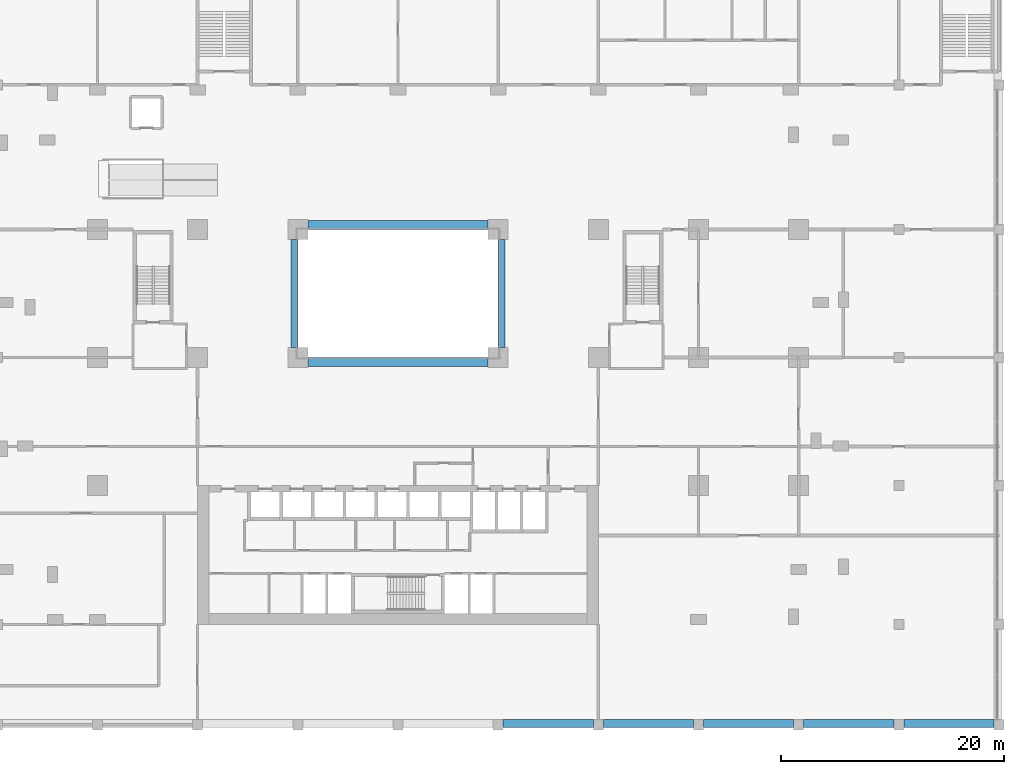
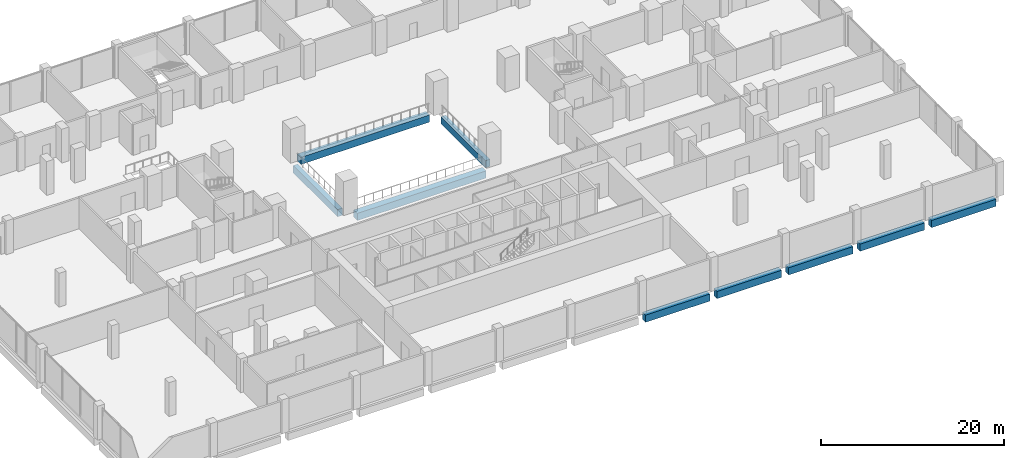
# One storey, part 7 of 22: 9 beams.
"""IFC4 building model written with IfcOpenShell, lengths in metres."""

from ifc_helpers import new_model, si_unit, direction, frame, origin, origin_2d, place, context, subcontext, project, spatial, rectangle, extrude, material, material_profile, profile_set, type_object, element, save


model = new_model("IFC4")

# Units and contexts
model_context = context("Model", 3, precision=1e-05, world=origin(), true_north=direction((0.0, 1.0)))
body_context = subcontext(model_context, "Body", "Model", "MODEL_VIEW")
ifc_project = project(units=[si_unit("LENGTHUNIT", "METRE"), si_unit("AREAUNIT", "SQUARE_METRE"), si_unit("VOLUMEUNIT", "CUBIC_METRE"), si_unit("PLANEANGLEUNIT", "RADIAN"), si_unit("MASSUNIT", "GRAM", prefix="KILO")], contexts=[model_context])

# Site, building, storey
site_placement = place(None, origin())
site = spatial("IfcSite", under=ifc_project, at=site_placement, CompositionType="ELEMENT")
building_placement = place(site_placement, origin())
building = spatial("IfcBuilding", under=site, at=building_placement, Name="Brigalow Station Residences", CompositionType="ELEMENT")
storey_placement = place(building_placement, frame((0.0, 0.0, 6.5)))
storey = spatial("IfcBuildingStorey", under=building, at=storey_placement, Name="L01", CompositionType="ELEMENT", Elevation=6.5)

# Beams
ifc_material_1 = material(Name="Concrete C65", Category="concrete")
ifc_material_profile_1 = material_profile(ifc_material_1, rectangle(XDim=0.60009765625, YDim=0.949951171875, at=origin_2d()), Name="RC600x950")
ifc_profile_set_1 = profile_set([ifc_material_profile_1], Name="Concrete C65")
beam_type_1 = type_object("IfcBeamType", Name="ATRIUM EDGE GIRDER 600x950 C65", PredefinedType="BEAM", material=ifc_profile_set_1)
for number, where, z_axis, x_axis, name in (
    (1, (26.699951171875, 24.89990234375, -0.876953125), (0.0, 1.0, 0.0), (-1.0, 0.0, 0.0), "ATRIUM EDGE GIRDER 3 L01"),
    (2, (45.300048828125, 24.89990234375, -0.876953125), (0.0, 1.0, 0.0), (-1.0, 0.0, 0.0), "ATRIUM EDGE GIRDER 5 L01"),
):
    element("IfcBeam", number, at=place(storey_placement, frame(where, z_axis=z_axis, x_axis=x_axis)), inside=storey, type_object=beam_type_1, Name=name, PredefinedType="BEAM", context=body_context, shape_type="SweptSolid", body=[
        extrude(rectangle(XDim=0.60009765625, YDim=0.949951171875, at=origin_2d()), origin(), (0.0, 0.0, 1.0), 9.7001953125),
    ])
ifc_material_2 = material(Name="Concrete C65", Category="concrete")
ifc_material_profile_2 = material_profile(ifc_material_2, rectangle(XDim=0.800048828125, YDim=0.949951171875, at=origin_2d()), Name="RC800x950")
ifc_profile_set_2 = profile_set([ifc_material_profile_2], Name="Concrete C65")
beam_type_2 = type_object("IfcBeamType", Name="ATRIUM EDGE GIRDER OVER 13.5 M SPAN 800x950 C65", PredefinedType="BEAM", material=ifc_profile_set_2)
for number, where, z_axis, x_axis, name in (
    (3, (27.89990234375, 23.60009765625, -0.876953125), (1.0, 0.0, 0.0), (0.0, 1.0, 0.0), "ATRIUM EDGE GIRDER C L01"),
    (4, (27.89990234375, 35.89990234375, -0.876953125), (1.0, 0.0, 0.0), (0.0, 1.0, 0.0), "ATRIUM EDGE GIRDER D L01"),
):
    element("IfcBeam", number, at=place(storey_placement, frame(where, z_axis=z_axis, x_axis=x_axis)), inside=storey, type_object=beam_type_2, Name=name, PredefinedType="BEAM", context=body_context, shape_type="SweptSolid", body=[
        extrude(rectangle(XDim=0.800048828125, YDim=0.949951171875, at=origin_2d()), origin(), (0.0, 0.0, 1.0), 16.2001953125),
    ])
ifc_material_3 = material(Name="Concrete C65", Category="concrete")
ifc_material_profile_3 = material_profile(ifc_material_3, rectangle(XDim=0.699951171875, YDim=0.949951171875, at=origin_2d()), Name="RC700x950")
ifc_profile_set_3 = profile_set([ifc_material_profile_3], Name="Concrete C65")
beam_type_3 = type_object("IfcBeamType", Name="EDGE GIRDER 4.5 TO 9.9 M SPAN 700x950 C65", PredefinedType="BEAM", material=ifc_profile_set_3)
for number, where, z_axis, x_axis, name in (
    (5, (45.449951171875, -8.89990234375, -0.876953125), (1.0, 0.0, 0.0), (0.0, 1.0, 0.0), "PODIUM EDGE GIRDER S8 L01"),
    (6, (54.449951171875, -8.89990234375, -0.876953125), (1.0, 0.0, 0.0), (0.0, 1.0, 0.0), "PODIUM EDGE GIRDER S9 L01"),
    (7, (63.449951171875, -8.89990234375, -0.876953125), (1.0, 0.0, 0.0), (0.0, 1.0, 0.0), "PODIUM EDGE GIRDER S10 L01"),
    (8, (72.449951171875, -8.89990234375, -0.876953125), (1.0, 0.0, 0.0), (0.0, 1.0, 0.0), "PODIUM EDGE GIRDER S11 L01"),
    (9, (81.449951171875, -8.89990234375, -0.876953125), (1.0, 0.0, 0.0), (0.0, 1.0, 0.0), "PODIUM EDGE GIRDER S12 L01"),
):
    element("IfcBeam", number, at=place(storey_placement, frame(where, z_axis=z_axis, x_axis=x_axis)), inside=storey, type_object=beam_type_3, Name=name, PredefinedType="BEAM", context=body_context, shape_type="SweptSolid", body=[
        extrude(rectangle(XDim=0.699951171875, YDim=0.949951171875, at=origin_2d()), origin(), (0.0, 0.0, 1.0), 8.10009765625),
    ])

save(model, "model.ifc")
